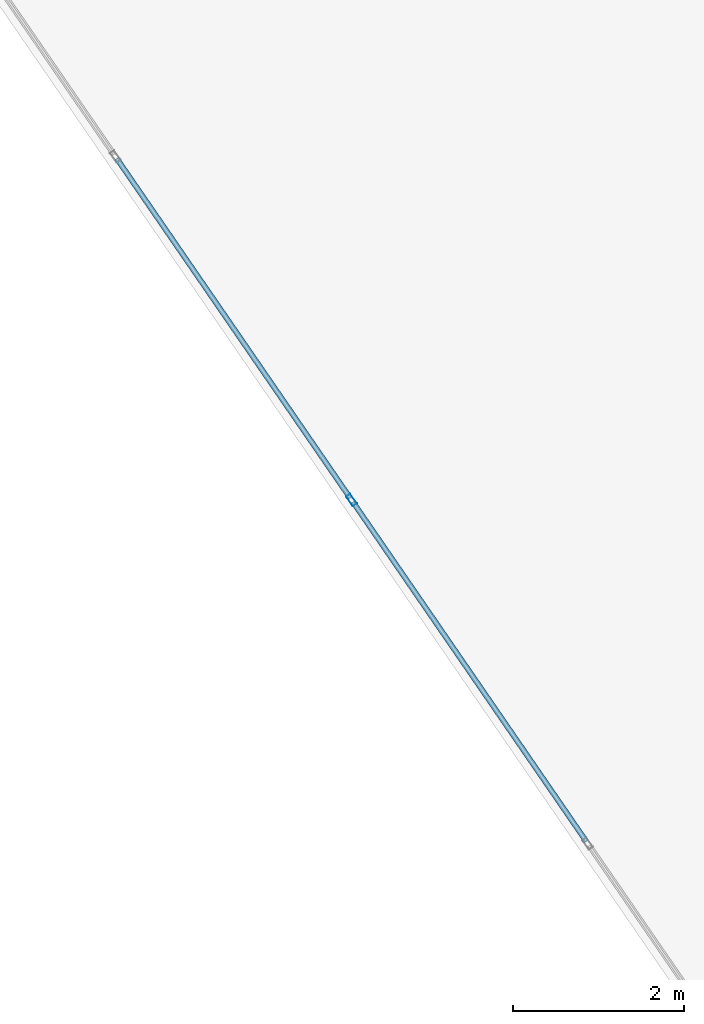
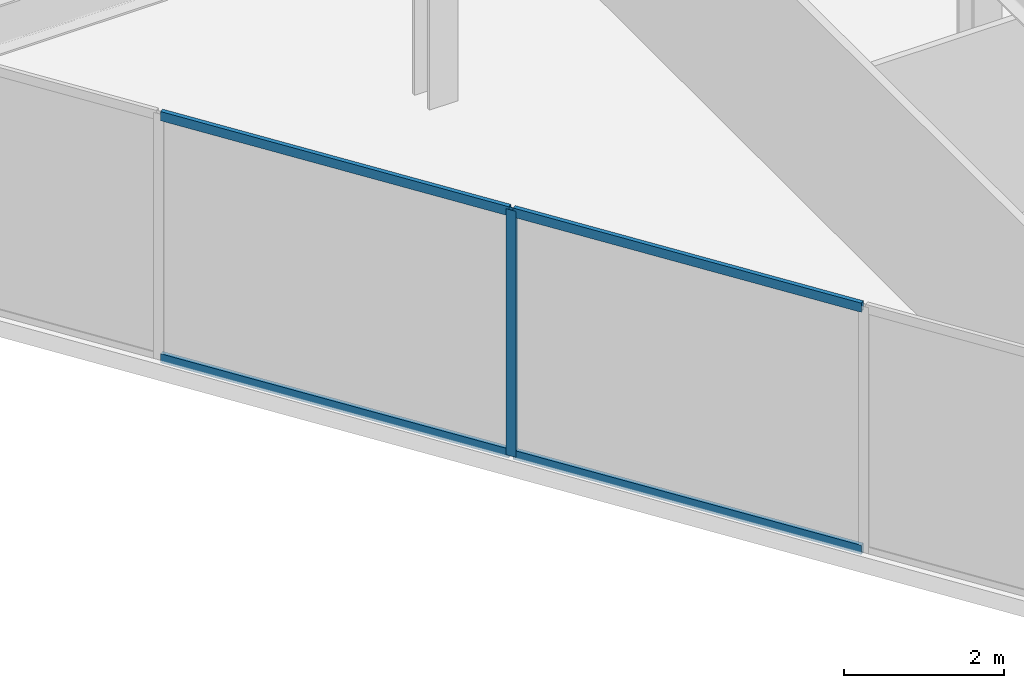
# One storey, part 9 of 21: 5 members, 1 element without a shape of its own.
"""IFC4 building model written with IfcOpenShell, lengths in metres."""

from ifc_helpers import new_model, si_unit, direction, frame, origin, origin_2d, place, context, subcontext, project, spatial, hollow_rectangle, extrude, material, layer, layer_set, material_profile, profile_set, type_object, element, aggregate, save


model = new_model("IFC4")

# Units and contexts
model_context = context("Model", 3, precision=1e-05, world=origin(), true_north=direction((0.0, 1.0)))
body_context = subcontext(model_context, "Body", "Model", "MODEL_VIEW")
ifc_project = project(units=[si_unit("LENGTHUNIT", "METRE"), si_unit("AREAUNIT", "SQUARE_METRE"), si_unit("VOLUMEUNIT", "CUBIC_METRE"), si_unit("PLANEANGLEUNIT", "RADIAN"), si_unit("MASSUNIT", "GRAM", prefix="KILO")], contexts=[model_context])

# Site, building, storey
site_placement = place(None, origin())
site = spatial("IfcSite", under=ifc_project, at=site_placement, CompositionType="ELEMENT")
building_placement = place(site_placement, origin())
building = spatial("IfcBuilding", under=site, at=building_placement, Name="Kravanh Interchange Tower", CompositionType="ELEMENT")
storey_placement = place(building_placement, frame((0.0, 0.0, 160.5)))
storey = spatial("IfcBuildingStorey", under=building, at=storey_placement, Name="L38", CompositionType="ELEMENT", Elevation=160.5)

# Curtain wall, members
ifc_material_1 = material(Name="Anodised Bronze Aluminium", Category="aluminium")
ifc_layer = layer(ifc_material_1, 0.179931640625)
ifc_layer_set = layer_set([ifc_layer], Name="Unitised Curtain Wall System CW-Z3 Upper Office")
curtain_wall_type = type_object("IfcCurtainWallType", Name="Unitised Curtain Wall System CW-Z3 Upper Office", PredefinedType="NOTDEFINED", material=ifc_layer_set)
curtain_wall_placement = place(storey_placement, origin())
curtain_wall = element("IfcCurtainWall", 1, at=curtain_wall_placement, inside=storey, type_object=curtain_wall_type, Name="L38 Unitised Curtain Wall CW-L38-04", PredefinedType="NOTDEFINED")
ifc_material_2 = material(Name="Anodised Bronze Aluminium", Category="aluminium")
ifc_material_profile_1 = material_profile(ifc_material_2, hollow_rectangle(XDim=0.06005859375, YDim=0.139892578125, WallThickness=0.00390625, at=origin_2d()), Name="ALU60X140X4")
ifc_profile_set_1 = profile_set([ifc_material_profile_1], Name="Anodised Bronze Aluminium")
member_type_1 = type_object("IfcMemberType", Name="Curtain Wall Mullion ALU60X140X4 Bronze", PredefinedType="MULLION", material=ifc_profile_set_1)
member_1_placement = place(storey_placement, frame((47.7314453125, 19.56591796875, 0.0), z_axis=(0.0, 0.0, 1.0), x_axis=(-0.824042223035, -0.566528388217, 0.0)))
member_1 = element("IfcMember", 2, at=member_1_placement, type_object=member_type_1, Name="CW-Z3 mullion 3", PredefinedType="MULLION", context=body_context, shape_type="SweptSolid", body=[
    extrude(hollow_rectangle(XDim=0.06005859375, YDim=0.139892578125, WallThickness=0.00390625, at=origin_2d()), origin(), (0.0, 0.0, 1.0), 3.7548828125),
])
ifc_material_3 = material(Name="Anodised Bronze Aluminium", Category="aluminium")
ifc_material_profile_2 = material_profile(ifc_material_3, hollow_rectangle(XDim=0.06005859375, YDim=0.139892578125, WallThickness=0.00390625, at=origin_2d()), Name="ALU60X140X4")
ifc_profile_set_2 = profile_set([ifc_material_profile_2], Name="Anodised Bronze Aluminium")
member_type_2 = type_object("IfcMemberType", Name="Curtain Wall Transom ALU60X140X4 Bronze", PredefinedType="USERDEFINED", material=ifc_profile_set_2)
member_2_placement = place(storey_placement, frame((50.480224609375, 15.567626953125, 0.030029296875), z_axis=(-0.566503037389, 0.824059651135, 0.0), x_axis=(-0.824059651135, -0.566503037389, 0.0)))
member_2 = element("IfcMember", 3, at=member_2_placement, type_object=member_type_2, Name="CW-Z3 transom 2.1", ObjectType="TRANSOM", PredefinedType="USERDEFINED", context=body_context, shape_type="SweptSolid", body=[
    extrude(hollow_rectangle(XDim=0.06005859375, YDim=0.139892578125, WallThickness=0.00390625, at=origin_2d()), origin(), (0.0, 0.0, 1.0), 4.822021484375),
])
member_3_placement = place(storey_placement, frame((50.480224609375, 15.567626953125, 3.72509765625), z_axis=(-0.566503037389, 0.824059651135, 0.0), x_axis=(-0.824059651135, -0.566503037389, 0.0)))
member_3 = element("IfcMember", 4, at=member_3_placement, type_object=member_type_2, Name="CW-Z3 transom 2.2", ObjectType="TRANSOM", PredefinedType="USERDEFINED", context=body_context, shape_type="SweptSolid", body=[
    extrude(hollow_rectangle(XDim=0.06005859375, YDim=0.139892578125, WallThickness=0.00390625, at=origin_2d()), origin(), (0.0, 0.0, 1.0), 4.822021484375),
])
member_4_placement = place(storey_placement, frame((47.714599609375, 19.590576171875, 0.030029296875), z_axis=(-0.566537417683, 0.824036015211, 0.0), x_axis=(-0.824036015211, -0.566537417683, 0.0)))
member_4 = element("IfcMember", 5, at=member_4_placement, type_object=member_type_2, Name="CW-Z3 transom 3.1", ObjectType="TRANSOM", PredefinedType="USERDEFINED", context=body_context, shape_type="SweptSolid", body=[
    extrude(hollow_rectangle(XDim=0.06005859375, YDim=0.139892578125, WallThickness=0.00390625, at=origin_2d()), origin(), (0.0, 0.0, 1.0), 4.822265625),
])
member_5_placement = place(storey_placement, frame((47.714599609375, 19.590576171875, 3.72509765625), z_axis=(-0.566537417683, 0.824036015211, 0.0), x_axis=(-0.824036015211, -0.566537417683, 0.0)))
member_5 = element("IfcMember", 6, at=member_5_placement, type_object=member_type_2, Name="CW-Z3 transom 3.2", ObjectType="TRANSOM", PredefinedType="USERDEFINED", context=body_context, shape_type="SweptSolid", body=[
    extrude(hollow_rectangle(XDim=0.06005859375, YDim=0.139892578125, WallThickness=0.00390625, at=origin_2d()), origin(), (0.0, 0.0, 1.0), 4.822265625),
])
aggregate(curtain_wall, [member_1, member_2, member_3, member_4, member_5])

save(model, "model.ifc")
